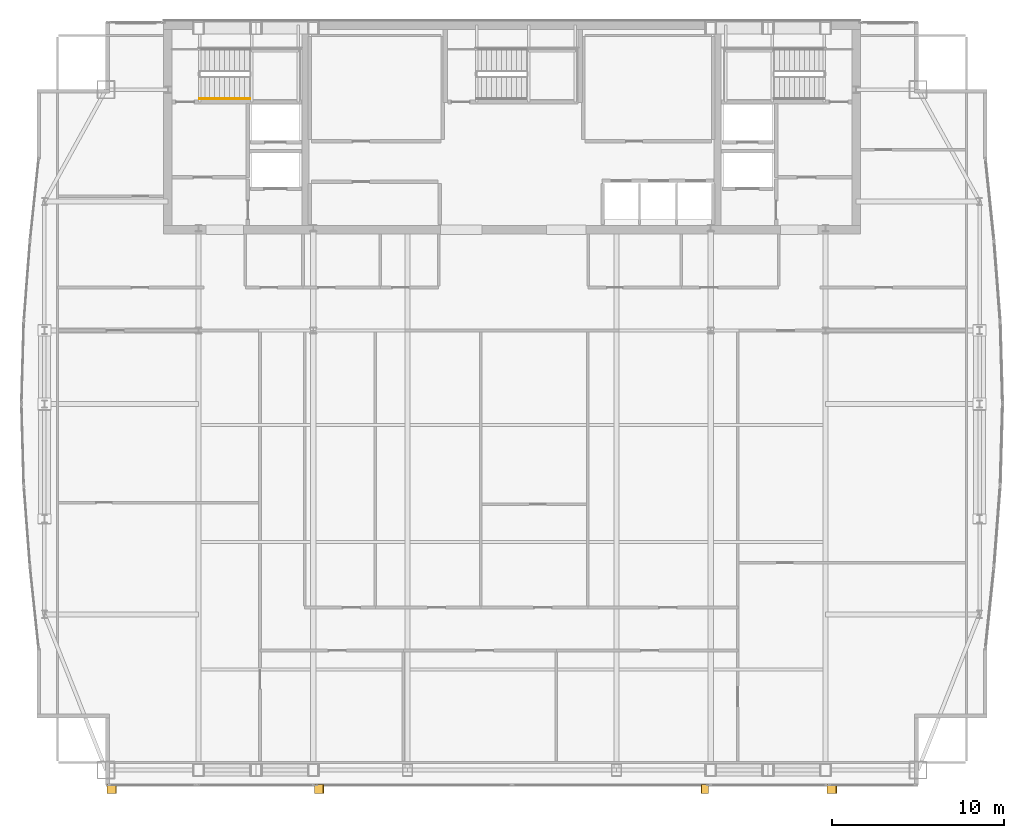
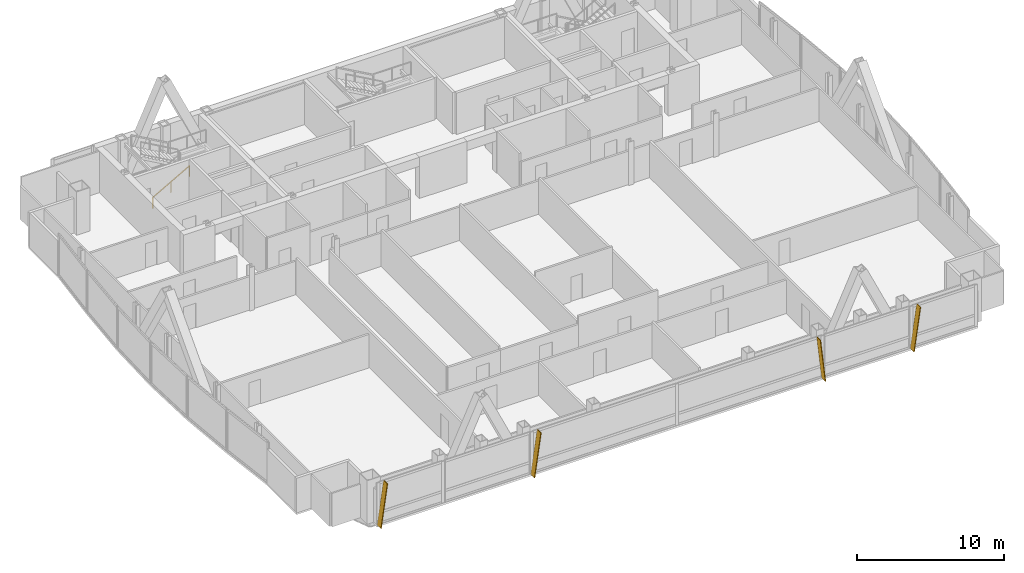
# One storey, part 29 of 30: 4 shading devices, 1 railing.
"""IFC4 building model written with IfcOpenShell, lengths in metres."""

from ifc_helpers import new_model, si_unit, direction, frame, origin, origin_2d, place, context, subcontext, project, spatial, polyline, rectangle, outline, extrude, material, layer, layer_set, type_object, element, save


model = new_model("IFC4")

# Units and contexts
model_context = context("Model", 3, precision=1e-05, world=origin(), true_north=direction((0.0, 1.0)))
body_context = subcontext(model_context, "Body", "Model", "MODEL_VIEW")
ifc_project = project(units=[si_unit("LENGTHUNIT", "METRE"), si_unit("AREAUNIT", "SQUARE_METRE"), si_unit("VOLUMEUNIT", "CUBIC_METRE"), si_unit("PLANEANGLEUNIT", "RADIAN"), si_unit("MASSUNIT", "GRAM", prefix="KILO")], contexts=[model_context])

# Site, building, storey
site_placement = place(None, origin())
site = spatial("IfcSite", under=ifc_project, at=site_placement, CompositionType="ELEMENT")
building_placement = place(site_placement, origin())
building = spatial("IfcBuilding", under=site, at=building_placement, Name="Khoronbel Lancet Exchange", CompositionType="ELEMENT")
storey_placement = place(building_placement, frame((0.0, 0.0, 284.199951171875)))
storey = spatial("IfcBuildingStorey", under=building, at=storey_placement, Name="L73", CompositionType="ELEMENT", Elevation=284.199951171875)

# Railing
ifc_material_1 = material(Name="Brushed Stainless Steel 316", Category="steel")
railing_type = type_object("IfcRailingType", Name="RL-STH92", PredefinedType="HANDRAIL", material=ifc_material_1)
railing_placement = place(storey_placement, frame((18.300048828125, 49.169921875, 0.16357421875)))
element("IfcRailing", 1, at=railing_placement, inside=storey, type_object=railing_type, Name="L73 ST1 stair handrail 1", PredefinedType="HANDRAIL", context=body_context, shape_type="SweptSolid", body=[
    extrude(rectangle(XDim=0.048095703125, YDim=0.048095703125, at=origin_2d()), frame((0.0, 0.0, 0.8759765625), z_axis=(0.870897200241, 0.0, 0.491465224214), x_axis=(0.0, 1.0, 0.0)), (0.0, 0.0, 1.0), 3.329833984375),
    extrude(rectangle(XDim=0.0419921875, YDim=0.0419921875, at=origin_2d()), origin(), (0.0, 0.0, 1.0), 0.851806640625),
    extrude(rectangle(XDim=0.0419921875, YDim=0.0419921875, at=origin_2d()), frame((1.449951171875, 0.0, 0.818359375)), (0.0, 0.0, 1.0), 0.851806640625),
    extrude(rectangle(XDim=0.0419921875, YDim=0.0419921875, at=origin_2d()), frame((2.89990234375, 0.0, 1.636474609375)), (0.0, 0.0, 1.0), 0.851806640625),
])

# Shading devices
ifc_material_2 = material(Name="Bronze-Anodised Aluminium 6063-T6", Category="aluminium")
ifc_layer = layer(ifc_material_2, 0.054931640625, Name="Bronze-Anodised Aluminium 6063-T6")
ifc_layer_set = layer_set([ifc_layer], Name="Bronze-Anodised Aluminium 6063-T6")
shading_device_type = type_object("IfcShadingDeviceType", Name="SHD-FIN1", PredefinedType="USERDEFINED", material=ifc_layer_set)
for number, where, z_axis, x_axis, name in (
    (2, (12.91259765625, 9.31005859375, -0.079833984375), (-0.990091586433, 0.0, 0.14042311232), (0.0, -1.0, 0.0), "Slanted bronze solar fin CW-L73-SWV-0"),
    (3, (24.972412109375, 9.31005859375, -0.079833984375), (-0.990082143633, 0.0, 0.140489675274), (0.0, -1.0, 0.0), "Slanted bronze solar fin CW-L73-SCV-0"),
):
    element("IfcShadingDevice", number, at=place(storey_placement, frame(where, z_axis=z_axis, x_axis=x_axis)), inside=storey, type_object=shading_device_type, Name=name, ObjectType="FIN", PredefinedType="USERDEFINED", context=body_context, shape_type="SweptSolid", body=[
        extrude(outline(polyline([(0.0, 0.0), (0.52001953125, 0.0), (0.52001953125, 3.595458984375), (0.0, 3.595458984375), (0.0, 0.0)])), origin(), (0.0, 0.0, -1.0), 0.054931640625),
    ])
shading_device_1_placement = place(storey_placement, frame((47.87255859375, 9.31005859375, -0.079833984375), z_axis=(0.99389951861, 0.0, 0.110289378034), x_axis=(0.0, -1.0, 0.0)))
element("IfcShadingDevice", 4, at=shading_device_1_placement, inside=storey, type_object=shading_device_type, Name="Slanted bronze solar fin CW-L73-SCV-2", ObjectType="FIN", PredefinedType="USERDEFINED", context=body_context, shape_type="SweptSolid", body=[
    extrude(outline(polyline([(0.0, 0.0), (0.52001953125, 0.0), (0.52001953125, -3.58154296875), (0.0, -3.58154296875), (0.0, 0.0)])), origin(), (0.0, 0.0, -1.0), 0.054931640625),
])
shading_device_2_placement = place(storey_placement, frame((54.7724609375, 9.31005859375, -0.079833984375), z_axis=(-0.990082143633, 0.0, 0.140489675274), x_axis=(0.0, -1.0, 0.0)))
element("IfcShadingDevice", 5, at=shading_device_2_placement, inside=storey, type_object=shading_device_type, Name="Slanted bronze solar fin CW-L73-SEV-0", ObjectType="FIN", PredefinedType="USERDEFINED", context=body_context, shape_type="SweptSolid", body=[
    extrude(outline(polyline([(0.0, 0.0), (0.52001953125, 0.0), (0.52001953125, 3.595458984375), (0.0, 3.595458984375), (0.0, 0.0)])), origin(), (0.0, 0.0, -1.0), 0.054931640625),
])

save(model, "model.ifc")
